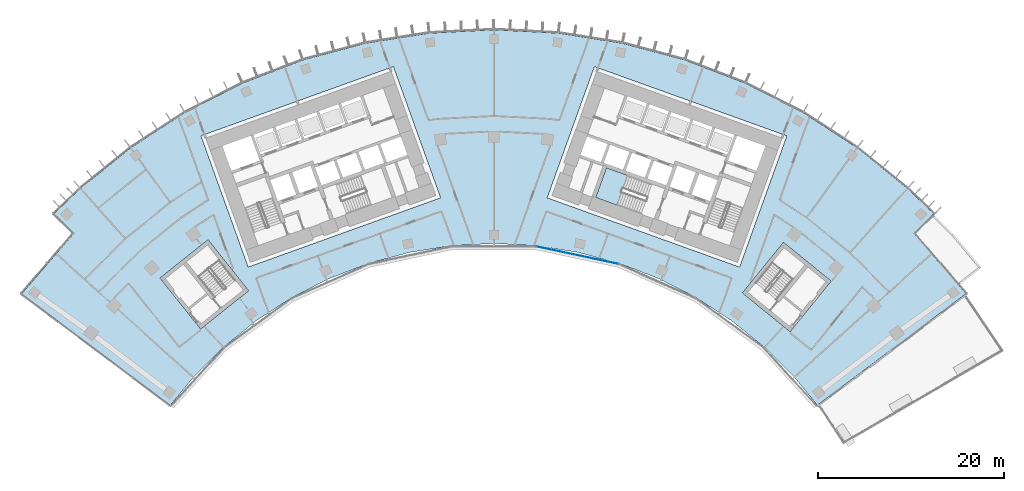
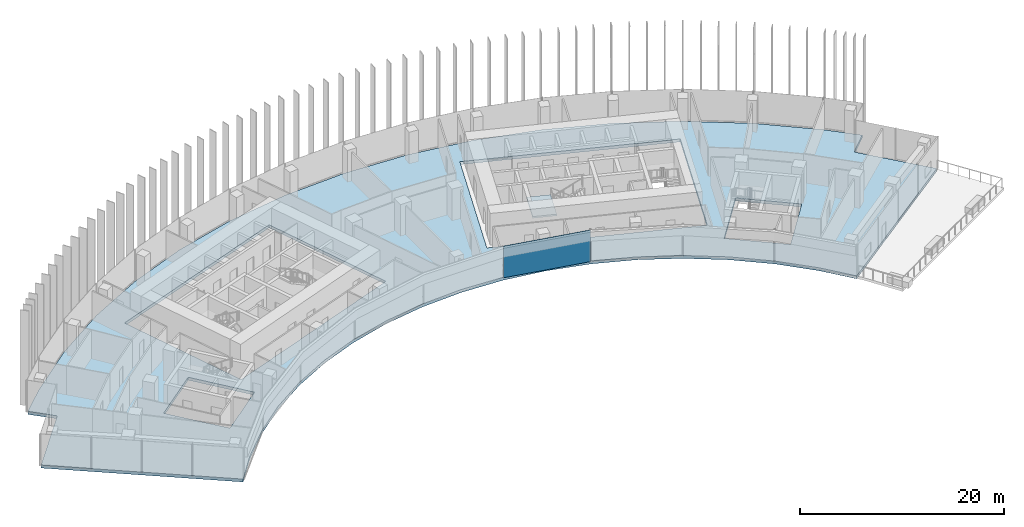
# One storey, part 13 of 23: 2 slabs, 1 plate, 2 elements without a shape of their own.
"""IFC4 building model written with IfcOpenShell, lengths in metres."""

from ifc_helpers import new_model, si_unit, direction, frame, origin, origin_2d, place, context, subcontext, project, spatial, polyline, rectangle, outline, extrude, material, layer, layer_set, type_object, element, aggregate, save


model = new_model("IFC4")

# Units and contexts
model_context = context("Model", 3, precision=1e-05, world=origin(), true_north=direction((0.0, 1.0)))
body_context = subcontext(model_context, "Body", "Model", "MODEL_VIEW")
ifc_project = project(units=[si_unit("LENGTHUNIT", "METRE"), si_unit("AREAUNIT", "SQUARE_METRE"), si_unit("VOLUMEUNIT", "CUBIC_METRE"), si_unit("PLANEANGLEUNIT", "RADIAN"), si_unit("MASSUNIT", "GRAM", prefix="KILO")], contexts=[model_context])

# Site, building, storey
site_placement = place(None, origin())
site = spatial("IfcSite", under=ifc_project, at=site_placement, CompositionType="ELEMENT")
building_placement = place(site_placement, origin())
building = spatial("IfcBuilding", under=site, at=building_placement, Name="Stone Belt Terrace Tower", CompositionType="ELEMENT")
storey_placement = place(building_placement, frame((0.0, 0.0, 144.0)))
storey = spatial("IfcBuildingStorey", under=building, at=storey_placement, Name="L34", CompositionType="ELEMENT", Elevation=144.0)

# Curtain wall, plate
ifc_material_1 = material(Name="Aluminium 6063-T6 anodised frame", Category="aluminium")
ifc_layer_1 = layer(ifc_material_1, 0.14990234375)
ifc_layer_set_1 = layer_set([ifc_layer_1], Name="CW-B unitised concave-face curtain wall")
curtain_wall_type = type_object("IfcCurtainWallType", Name="CW-B unitised concave-face curtain wall", PredefinedType="NOTDEFINED", material=ifc_layer_set_1)
curtain_wall_placement = place(storey_placement, origin())
curtain_wall = element("IfcCurtainWall", 1, at=curtain_wall_placement, inside=storey, type_object=curtain_wall_type, Name="CW-B concave face L34", PredefinedType="NOTDEFINED")
ifc_material_2 = material(Name="Clear double glazed unit")
ifc_layer_2 = layer(ifc_material_2, 0.030029296875)
ifc_layer_set_2 = layer_set([ifc_layer_2], Name="CW-B glass panel 30")
plate_type = type_object("IfcPlateType", Name="CW-B glass panel 30", PredefinedType="CURTAIN_PANEL", material=ifc_layer_set_2)
plate_placement = place(storey_placement, frame((8.97900390625, 42.242919921875, 0.0), z_axis=(0.0, 0.0, 1.0), x_axis=(0.978147600734, -0.207911690818, 0.0)))
plate = element("IfcPlate", 2, at=plate_placement, type_object=plate_type, Name="CW-B panel 6.1", PredefinedType="CURTAIN_PANEL", context=body_context, shape_type="SweptSolid", body=[
    extrude(rectangle(XDim=9.0126953125, YDim=0.030029296875, at=origin_2d()), origin(), (0.0, 0.0, 1.0), 3.800048828125),
])
aggregate(curtain_wall, [plate])

# Slab
ifc_material_3 = material(Name="Concrete B40", Category="concrete")
ifc_layer_3 = layer(ifc_material_3, 0.35009765625)
ifc_layer_set_3 = layer_set([ifc_layer_3], Name="Floor slab 350 B40")
slab_type_1 = type_object("IfcSlabType", Name="Floor slab 350 B40", PredefinedType="FLOOR", material=ifc_layer_set_3)
slab_1_placement = place(storey_placement, frame((0.0, 0.0, -0.35009765625)))
element("IfcSlab", 3, at=slab_1_placement, inside=storey, type_object=slab_type_1, Name="Floor slab L34", PredefinedType="FLOOR", context=body_context, shape_type="SweptSolid", body=[
    extrude(outline(polyline([(-44.497314453125, 49.419189453125), (-39.087646484375, 53.799560546875), (-33.25, 57.5908203125), (-27.048095703125, 60.750732421875), (-20.549560546875, 63.245361328125), (-13.826171875, 65.046875), (-6.951171875, 66.1357421875), (0.0, 66.5), (6.951171875, 66.1357421875), (13.826171875, 65.046875), (20.549560546875, 63.245361328125), (27.048095703125, 60.750732421875), (33.25, 57.5908203125), (39.087646484375, 53.799560546875), (44.497314453125, 49.419189453125), (47.328857421875, 46.714111328125), (45.19384765625, 44.606689453125), (50.799072265625, 38.10107421875), (34.79931640625, 26.100830078125), (32.326904296875, 29.107177734375), (29.107177734375, 32.326904296875), (25.568603515625, 35.192138671875), (21.75, 37.672119140625), (17.693115234375, 39.7392578125), (13.442138671875, 41.37109375), (9.044189453125, 42.54931640625), (4.547119140625, 43.26171875), (0.0, 43.5), (-4.547119140625, 43.26171875), (-9.044189453125, 42.54931640625), (-13.442138671875, 41.37109375), (-17.693115234375, 39.7392578125), (-21.75, 37.672119140625), (-25.568603515625, 35.192138671875), (-29.107177734375, 32.326904296875), (-32.326904296875, 29.107177734375), (-34.79931640625, 26.100830078125), (-50.799072265625, 38.10107421875), (-45.19384765625, 44.606689453125), (-47.328857421875, 46.714111328125), (-44.497314453125, 49.419189453125)]), holes=[polyline([(-26.434814453125, 40.968994140625), (-5.734619140625, 48.418701171875), (-10.81396484375, 62.532470703125), (-31.51416015625, 55.082763671875), (-26.434814453125, 40.968994140625)]), polyline([(10.81396484375, 62.532470703125), (5.734619140625, 48.418701171875), (26.434814453125, 40.968994140625), (31.51416015625, 55.082763671875), (10.81396484375, 62.532470703125)]), polyline([(-35.91796875, 39.787353515625), (-31.55615234375, 34.3125), (-26.39404296875, 38.425048828125), (-30.756103515625, 43.89990234375), (-35.91796875, 39.787353515625)]), polyline([(36.2783203125, 39.459228515625), (31.15380859375, 43.61865234375), (26.742431640625, 38.18359375), (31.86669921875, 34.024169921875), (36.2783203125, 39.459228515625)])]), origin(), (0.0, 0.0, 1.0), 0.35009765625),
])

# Stair, slab
stair_type = type_object("IfcStairType", Name="Exit stair 1500", PredefinedType="HALF_TURN_STAIR", material=ifc_material_3)
stair_placement = place(storey_placement, origin())
stair = element("IfcStair", 4, at=stair_placement, inside=storey, type_object=stair_type, Name="L34 Exit stair 2 core B", PredefinedType="HALF_TURN_STAIR")
ifc_layer_4 = layer(ifc_material_3, 0.199951171875)
ifc_layer_set_4 = layer_set([ifc_layer_4], Name="Stair landing 200")
slab_type_2 = type_object("IfcSlabType", Name="Stair landing 200", PredefinedType="LANDING", material=ifc_layer_set_4)
slab_2_placement = place(storey_placement, frame((0.0, 0.0, 1.699951171875)))
slab_2 = element("IfcSlab", 5, at=slab_2_placement, type_object=slab_type_2, Name="ST2B landing 1", PredefinedType="LANDING", context=body_context, shape_type="SweptSolid", body=[
    extrude(outline(polyline([(14.36474609375, 50.839111328125), (12.10595703125, 51.652099609375), (10.95458984375, 48.453125), (13.213623046875, 47.64013671875), (14.36474609375, 50.839111328125)])), origin(), (0.0, 0.0, 1.0), 0.199951171875),
])
aggregate(stair, [slab_2])

save(model, "model.ifc")
